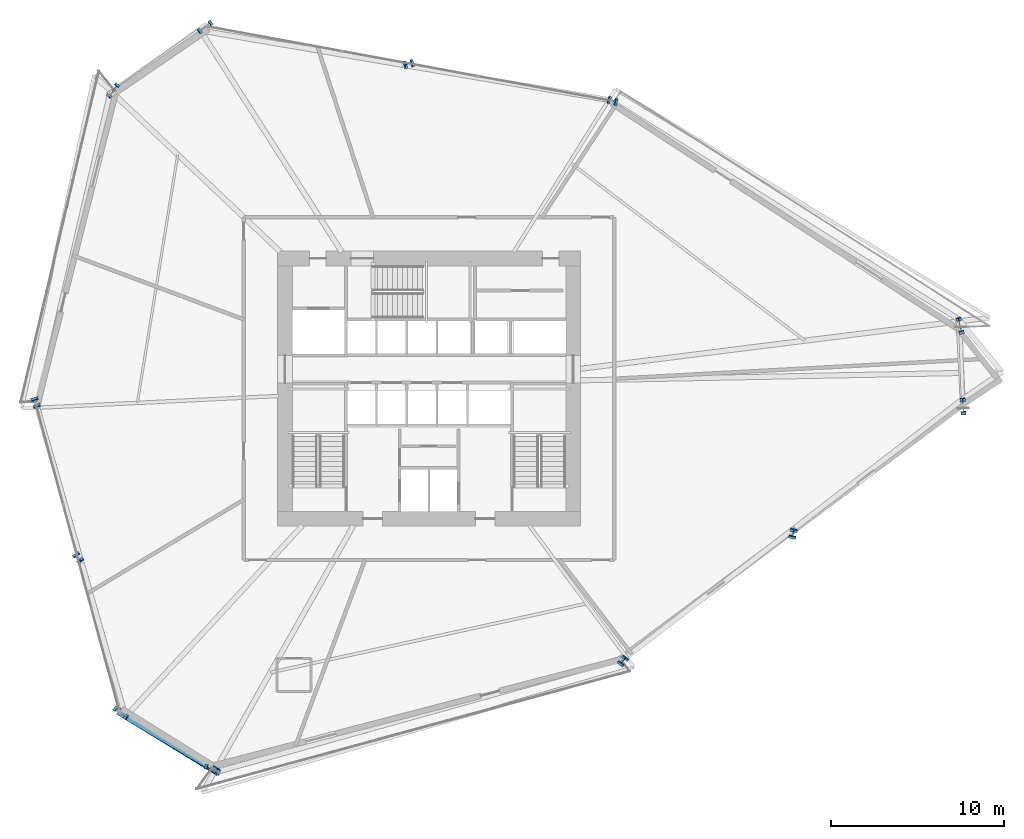
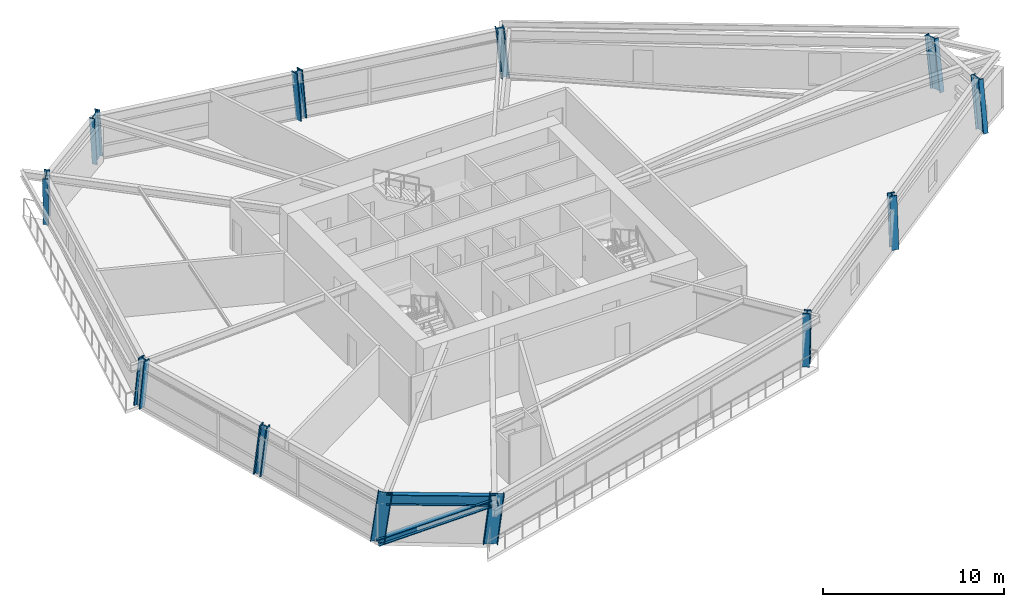
# One storey, part 1 of 20: 12 columns, 1 beam, 1 member.
"""IFC4 building model written with IfcOpenShell, lengths in metres."""

import ifcopenshell
import ifcopenshell.guid

model = None  # the IFC model being written
_history = None  # IfcOwnerHistory: only IFC2X3 demands one
_inside = {}  # id of a spatial element -> (the spatial element, [elements in it])
_under = {}  # id of a project, library or spatial element -> (it, [spatial elements below it])
_declared = {}  # id of a project -> (the project, [libraries it declares])
_typed = {}  # id of a type object -> (the type object, [elements of that type])
_made_of = {}  # id of a material, layer set ... -> (it, [elements and type objects made of it])


def new_model(schema):
    """Start an empty IFC model of exactly this schema.

    Asked for "IFC4X3", IfcOpenShell would pick the latest addendum, in which some entities
    have other attributes; the version numbers below select the first issue.
    IFC2X3 requires an IfcOwnerHistory on every rooted entity: one is made here for all.
    """
    global model, _history
    if schema == "IFC4X3":
        model = ifcopenshell.file(schema_version=(4, 3, 0, 0))
    else:
        model = ifcopenshell.file(schema=schema)
    _inside.clear()
    _under.clear()
    _declared.clear()
    _typed.clear()
    _made_of.clear()
    _history = None
    if model.schema == "IFC2X3":
        org = make("IfcOrganization", Name="unknown")
        user = make(
            "IfcPersonAndOrganization",
            ThePerson=make("IfcPerson", FamilyName="unknown"),
            TheOrganization=org,
        )
        app = make(
            "IfcApplication",
            ApplicationDeveloper=org,
            Version="unknown",
            ApplicationFullName="unknown",
            ApplicationIdentifier="unknown",
        )
        _history = make(
            "IfcOwnerHistory",
            OwningUser=user,
            OwningApplication=app,
            ChangeAction="ADDED",
            CreationDate=0,
        )
    return model


def make(cls, **values):
    """One entity of the class cls with the attributes given. An attribute that is None is left unset."""
    return model.create_entity(
        cls, **{name: value for name, value in values.items() if value is not None}
    )


def rooted(cls, **values):
    """An entity with a GlobalId (a new one), such as an element, a storey or a relation."""
    return make(cls, GlobalId=ifcopenshell.guid.new(), OwnerHistory=_history, **values)


def si_unit(unit_type, name, prefix=None):
    """IfcSIUnit, for example si_unit("LENGTHUNIT", "METRE", prefix="MILLI")."""
    return make("IfcSIUnit", UnitType=unit_type, Prefix=prefix, Name=name)


def assignment(units):
    """IfcUnitAssignment: the units of a project."""
    return None if units is None else make("IfcUnitAssignment", Units=units)


def point(xyz):
    """IfcCartesianPoint."""
    return None if xyz is None else make("IfcCartesianPoint", Coordinates=xyz)


def direction(xyz):
    """IfcDirection."""
    return None if xyz is None else make("IfcDirection", DirectionRatios=xyz)


def frame(location, z_axis=None, x_axis=None):
    """IfcAxis2Placement3D, a coordinate frame: its origin and axes. An axis left out is left unset."""
    return make(
        "IfcAxis2Placement3D",
        Location=point(location),
        Axis=direction(z_axis),
        RefDirection=direction(x_axis),
    )


def frame_2d(location, x_axis=None):
    """IfcAxis2Placement2D, a coordinate frame in the plane: its origin and x axis."""
    return make(
        "IfcAxis2Placement2D", Location=point(location), RefDirection=direction(x_axis)
    )


def origin():
    """The frame at (0, 0, 0) with its axes left unset."""
    return frame((0.0, 0.0, 0.0))


def origin_2d():
    """The frame at (0, 0) in the plane with its x axis left unset."""
    return frame_2d((0.0, 0.0))


def place(relative_to, where):
    """IfcLocalPlacement: puts the frame where relative to a parent placement (None: the world)."""
    return make(
        "IfcLocalPlacement", PlacementRelTo=relative_to, RelativePlacement=where
    )


def context(
    kind, dimensions, precision=None, world=None, true_north=None, identifier=None
):
    """IfcGeometricRepresentationContext, for example the 3D "Model" context."""
    return make(
        "IfcGeometricRepresentationContext",
        ContextIdentifier=identifier,
        ContextType=kind,
        CoordinateSpaceDimension=dimensions,
        Precision=precision,
        WorldCoordinateSystem=world,
        TrueNorth=true_north,
    )


def subcontext(parent, identifier, kind, view, scale=None):
    """IfcGeometricRepresentationSubContext, for example "Body" below "Model"."""
    return make(
        "IfcGeometricRepresentationSubContext",
        ContextIdentifier=identifier,
        ContextType=kind,
        ParentContext=parent,
        TargetScale=scale,
        TargetView=view,
    )


def project(units=None, contexts=None):
    """IfcProject with its units and contexts."""
    return rooted(
        "IfcProject",
        Name="project",
        RepresentationContexts=contexts,
        UnitsInContext=assignment(units),
    )


def spatial(cls, under=None, at=None, **own):
    """A site, building, storey or space (cls), placed at a placement, below another one or the project."""
    s = rooted(cls, ObjectPlacement=at, **own)
    if under is not None:
        _under.setdefault(under.id(), (under, []))[1].append(s)
    return s


def profile(cls, at=None, kind="AREA", **sizes):
    """A parametric profile (cls). Its sizes go by their IFC names, for example OverallWidth=200.0."""
    return make(cls, ProfileType=kind, Position=at, **sizes)


def i_section(**sizes):
    """IfcIShapeProfileDef."""
    return profile("IfcIShapeProfileDef", **sizes)


def extrude(swept, where, along, depth):
    """IfcExtrudedAreaSolid: the profile swept, set in the frame where, extruded along a direction by depth."""
    return make(
        "IfcExtrudedAreaSolid",
        SweptArea=swept,
        Position=where,
        ExtrudedDirection=direction(along),
        Depth=depth,
    )


def shape(context_of_items, identifier, shape_type, items):
    """IfcShapeRepresentation: the items that make up one representation, for example the "Body"."""
    return make(
        "IfcShapeRepresentation",
        ContextOfItems=context_of_items,
        RepresentationIdentifier=identifier,
        RepresentationType=shape_type,
        Items=items,
    )


def source(mapping_origin, context_of_items, identifier, shape_type, items):
    """IfcRepresentationMap: a shape defined once, which mapped items show again and again."""
    return make(
        "IfcRepresentationMap",
        MappingOrigin=mapping_origin,
        MappedRepresentation=shape(context_of_items, identifier, shape_type, items),
    )


def transform(
    local_origin,
    x_axis=None,
    y_axis=None,
    z_axis=None,
    scale=None,
    scale2=None,
    scale3=None,
    uniform=True,
):
    """IfcCartesianTransformationOperator3D, or its non-uniform kind. x_axis, y_axis, z_axis: its Axis1, 2, 3."""
    if uniform:
        return make(
            "IfcCartesianTransformationOperator3D",
            Axis1=direction(x_axis),
            Axis2=direction(y_axis),
            LocalOrigin=point(local_origin),
            Scale=scale,
            Axis3=direction(z_axis),
        )
    return make(
        "IfcCartesianTransformationOperator3DnonUniform",
        Axis1=direction(x_axis),
        Axis2=direction(y_axis),
        LocalOrigin=point(local_origin),
        Scale=scale,
        Axis3=direction(z_axis),
        Scale2=scale2,
        Scale3=scale3,
    )


def mapped(mapping_source, mapping_target):
    """IfcMappedItem: shows the shape of a source again, moved by a transform."""
    return make(
        "IfcMappedItem", MappingSource=mapping_source, MappingTarget=mapping_target
    )


def material(Name=None, Category=None):
    """IfcMaterial."""
    return make("IfcMaterial", Name=Name, Category=Category)


def material_profile(
    of_material, cross_section, Name=None, Category=None, Priority=None
):
    """IfcMaterialProfile: a cross section and its material."""
    return make(
        "IfcMaterialProfile",
        Name=Name,
        Material=of_material,
        Profile=cross_section,
        Priority=Priority,
        Category=Category,
    )


def profile_set(profiles, Name=None, composite=None):
    """IfcMaterialProfileSet."""
    return make(
        "IfcMaterialProfileSet",
        Name=Name,
        MaterialProfiles=profiles,
        CompositeProfile=composite,
    )


def made_of(thing, what):
    """Note that an element or type object is made of a material, layer set ...; save() writes the relation."""
    if what is not None:
        _made_of.setdefault(what.id(), (what, []))[1].append(thing)
    return thing


def type_object(cls, material=None, **own):
    """A type object (cls), such as IfcWallType, which elements share."""
    return made_of(rooted(cls, **own), material)


def element(
    cls,
    number,
    at=None,
    inside=None,
    cuts=None,
    type_object=None,
    material=None,
    context=None,
    identifier="Body",
    shape_type=None,
    held_by="IfcProductDefinitionShape",
    body=None,
    shapes=None,
    **own,
):
    """One element of the class cls, such as IfcWall. Its Tag is "e" and its number.

    at: its placement. inside: the storey or other place that contains it. cuts: it is an
    opening in that element (IfcRelVoidsElement). A single representation is given by context,
    identifier, shape_type and body (its items); several are given by shapes. held_by: the class
    of the entity that holds the representations. save() writes the other relations.
    """
    e = rooted(cls, Tag="e%d" % number, ObjectPlacement=at, **own)
    if body is not None:
        shapes = [shape(context, identifier, shape_type, body)]
    if shapes is not None:
        e.Representation = make(held_by, Representations=shapes)
    if inside is not None:
        _inside.setdefault(inside.id(), (inside, []))[1].append(e)
    if cuts is not None:
        rooted(
            "IfcRelVoidsElement", RelatingBuildingElement=cuts, RelatedOpeningElement=e
        )
    if type_object is not None:
        _typed.setdefault(type_object.id(), (type_object, []))[1].append(e)
    return made_of(e, material)


def aggregate(whole, parts):
    """IfcRelAggregates: a whole, such as a stair, and the parts it consists of."""
    return rooted("IfcRelAggregates", RelatingObject=whole, RelatedObjects=parts)


def save(model, path):
    """Write the relations noted so far, then the file.

    IfcRelAggregates (storeys below a building ...), IfcRelContainedInSpatialStructure (elements
    in a storey), IfcRelDefinesByType, IfcRelAssociatesMaterial and IfcRelDeclares: one each for
    every whole, place, type object, material and project.
    """
    for whole, parts in _under.values():
        aggregate(whole, parts)
    for where, things in _inside.values():
        rooted(
            "IfcRelContainedInSpatialStructure",
            RelatedElements=things,
            RelatingStructure=where,
        )
    for kind, things in _typed.values():
        rooted("IfcRelDefinesByType", RelatedObjects=things, RelatingType=kind)
    for what, things in _made_of.values():
        rooted("IfcRelAssociatesMaterial", RelatedObjects=things, RelatingMaterial=what)
    for by, libraries in _declared.values():
        rooted("IfcRelDeclares", RelatingContext=by, RelatedDefinitions=libraries)
    model.write(path)


model = new_model("IFC4")

# Units and contexts
model_context = context("Model", 3, precision=1e-05, world=origin(), true_north=direction((0.0, 1.0)))
body_context = subcontext(model_context, "Body", "Model", "MODEL_VIEW")
ifc_project = project(units=[si_unit("LENGTHUNIT", "METRE"), si_unit("AREAUNIT", "SQUARE_METRE"), si_unit("VOLUMEUNIT", "CUBIC_METRE"), si_unit("PLANEANGLEUNIT", "RADIAN"), si_unit("MASSUNIT", "GRAM", prefix="KILO")], contexts=[model_context])

# Site, building, storey
site_placement = place(None, origin())
site = spatial("IfcSite", under=ifc_project, at=site_placement, CompositionType="ELEMENT")
building_placement = place(site_placement, origin())
building = spatial("IfcBuilding", under=site, at=building_placement, Name="Olszyna Solenne Hotel", CompositionType="ELEMENT")
storey_placement = place(building_placement, frame((0.0, 0.0, 43.5)))
storey = spatial("IfcBuildingStorey", under=building, at=storey_placement, Name="L10", CompositionType="ELEMENT", Elevation=43.5)

# Columns
ifc_material_1 = material(Name="Steel S460M", Category="steel")
ifc_material_profile_1 = material_profile(ifc_material_1, i_section(OverallWidth=0.424072265625, OverallDepth=0.47412109375, WebThickness=0.04296875, FlangeThickness=0.068115234375, at=origin_2d()), Name="HD 400x634", Category="load-bearing")
ifc_profile_set_1 = profile_set([ifc_material_profile_1], Name="Steel S460M")
column_type_1 = type_object("IfcColumnType", Name="COL-T1", PredefinedType="COLUMN", material=ifc_profile_set_1)
shared_shape_1 = source(origin(), body_context, "Body", "SweptSolid", [
    extrude(i_section(OverallWidth=0.424072265625, OverallDepth=0.47412109375, WebThickness=0.04296875, FlangeThickness=0.068115234375, at=origin_2d()), origin(), (0.0, 0.0, 1.0), 3.406982421875),
])
column_1_placement = place(storey_placement, frame((59.02099609375, 18.151611328125, 0.0), z_axis=(0.024938008928, 0.1103578556, 0.993579005121), x_axis=(-0.975405871546, 0.220416391752, 0.0)))
element("IfcColumn", 1, at=column_1_placement, inside=storey, type_object=column_type_1, Name="Perimeter framed-tube column COL-T1 C-L10-12", PredefinedType="COLUMN", context=body_context, shape_type="MappedRepresentation", body=[
    mapped(shared_shape_1, transform((0.0, 0.0, 0.0), x_axis=(1.0, 0.0, 0.0), y_axis=(0.0, 1.0, 0.0), z_axis=(0.0, 0.0, 1.0), scale=1.0)),
])
ifc_material_profile_2 = material_profile(ifc_material_1, i_section(OverallWidth=0.30810546875, OverallDepth=0.81396484375, WebThickness=0.02099609375, FlangeThickness=0.0400390625, at=origin_2d()), Name="HEM 800", Category="load-bearing")
ifc_profile_set_2 = profile_set([ifc_material_profile_2], Name="Steel S460M")
column_type_2 = type_object("IfcColumnType", Name="COL-K1", PredefinedType="COLUMN", material=ifc_profile_set_2)
shared_shape_2 = source(origin(), body_context, "Body", "SweptSolid", [
    extrude(i_section(OverallWidth=0.30810546875, OverallDepth=0.81396484375, WebThickness=0.02099609375, FlangeThickness=0.0400390625, at=origin_2d()), origin(), (0.0, 0.0, 1.0), 3.422119140625),
])
column_2_placement = place(storey_placement, frame((68.867431640625, 25.48583984375, 0.0), z_axis=(-0.009203169224, 0.146537283616, 0.989162335609), x_axis=(-0.998033626119, -0.062680787619, 0.0)))
element("IfcColumn", 2, at=column_2_placement, inside=storey, type_object=column_type_2, Name="Perimeter framed-tube column COL-K1 C-L10-01", PredefinedType="COLUMN", context=body_context, shape_type="MappedRepresentation", body=[
    mapped(shared_shape_2, transform((0.0, 0.0, 0.0), x_axis=(1.0, 0.0, 0.0), y_axis=(0.0, 1.0, 0.0), z_axis=(0.0, 0.0, 1.0), scale=1.0)),
])
shared_shape_3 = source(origin(), body_context, "Body", "SweptSolid", [
    extrude(i_section(OverallWidth=0.30810546875, OverallDepth=0.81396484375, WebThickness=0.02099609375, FlangeThickness=0.0400390625, at=origin_2d()), origin(), (0.0, 0.0, 1.0), 3.417724609375),
])
column_3_placement = place(storey_placement, frame((68.70849609375, 30.15283203125, 0.0), z_axis=(-0.030073830661, 0.134653612343, 0.990436252059), x_axis=(-0.975955040673, -0.217971921551, 0.0)))
element("IfcColumn", 3, at=column_3_placement, inside=storey, type_object=column_type_2, Name="Perimeter framed-tube column COL-K1 C-L10-02", PredefinedType="COLUMN", context=body_context, shape_type="MappedRepresentation", body=[
    mapped(shared_shape_3, transform((0.0, 0.0, 0.0), x_axis=(1.0, 0.0, 0.0), y_axis=(0.0, 1.0, 0.0), z_axis=(0.0, 0.0, 1.0), scale=1.0)),
])
shared_shape_4 = source(origin(), body_context, "Body", "SweptSolid", [
    extrude(i_section(OverallWidth=0.424072265625, OverallDepth=0.47412109375, WebThickness=0.04296875, FlangeThickness=0.068115234375, at=origin_2d()), origin(), (0.0, 0.0, 1.0), 3.3994140625),
])
column_4_placement = place(storey_placement, frame((48.65234375, 43.211181640625, 0.0), z_axis=(-0.088620867342, 0.025925553574, 0.995727978689), x_axis=(-0.280776438027, -0.95977319813, 0.0)))
element("IfcColumn", 4, at=column_4_placement, inside=storey, type_object=column_type_1, Name="Perimeter framed-tube column COL-T1 C-L10-03", PredefinedType="COLUMN", context=body_context, shape_type="MappedRepresentation", body=[
    mapped(shared_shape_4, transform((0.0, 0.0, 0.0), x_axis=(1.0, 0.0, 0.0), y_axis=(0.0, 1.0, 0.0), z_axis=(0.0, 0.0, 1.0), scale=1.0)),
])
shared_shape_5 = source(origin(), body_context, "Body", "SweptSolid", [
    extrude(i_section(OverallWidth=0.424072265625, OverallDepth=0.47412109375, WebThickness=0.04296875, FlangeThickness=0.068115234375, at=origin_2d()), origin(), (0.0, 0.0, 1.0), 3.400390625),
])
column_5_placement = place(storey_placement, frame((36.883544921875, 45.376708984375, 0.0), z_axis=(-0.092330898884, -0.022903232305, 0.995464940147), x_axis=(0.24075937965, -0.970584834577, 0.0)))
element("IfcColumn", 5, at=column_5_placement, inside=storey, type_object=column_type_1, Name="Perimeter framed-tube column COL-T1 C-L10-04", PredefinedType="COLUMN", context=body_context, shape_type="MappedRepresentation", body=[
    mapped(shared_shape_5, transform((0.0, 0.0, 0.0), x_axis=(1.0, 0.0, 0.0), y_axis=(0.0, 1.0, 0.0), z_axis=(0.0, 0.0, 1.0), scale=1.0)),
])
shared_shape_6 = source(origin(), body_context, "Body", "SweptSolid", [
    extrude(i_section(OverallWidth=0.30810546875, OverallDepth=0.81396484375, WebThickness=0.02099609375, FlangeThickness=0.0400390625, at=origin_2d()), origin(), (0.0, 0.0, 1.0), 3.409423828125),
])
column_6_placement = place(storey_placement, frame((25.11474609375, 47.541748046875, 0.0), z_axis=(-0.095810648173, -0.071392538287, 0.992836051508), x_axis=(0.597503990576, -0.801865937202, 0.0)))
element("IfcColumn", 6, at=column_6_placement, inside=storey, type_object=column_type_2, Name="Perimeter framed-tube column COL-K1 C-L10-05", PredefinedType="COLUMN", context=body_context, shape_type="MappedRepresentation", body=[
    mapped(shared_shape_6, transform((0.0, 0.0, 0.0), x_axis=(1.0, 0.0, 0.0), y_axis=(0.0, 1.0, 0.0), z_axis=(0.0, 0.0, 1.0), scale=1.0)),
])
shared_shape_7 = source(origin(), body_context, "Body", "SweptSolid", [
    extrude(i_section(OverallWidth=0.30810546875, OverallDepth=0.81396484375, WebThickness=0.02099609375, FlangeThickness=0.0400390625, at=origin_2d()), origin(), (0.0, 0.0, 1.0), 3.4052734375),
])
column_7_placement = place(storey_placement, frame((19.774658203125, 43.885009765625, 0.0), z_axis=(-0.06610046302, -0.086962973583, 0.994016181968), x_axis=(0.796124250752, -0.605133189772, 0.0)))
element("IfcColumn", 7, at=column_7_placement, inside=storey, type_object=column_type_2, Name="Perimeter framed-tube column COL-K1 C-L10-06", PredefinedType="COLUMN", context=body_context, shape_type="MappedRepresentation", body=[
    mapped(shared_shape_7, transform((0.0, 0.0, 0.0), x_axis=(1.0, 0.0, 0.0), y_axis=(0.0, 1.0, 0.0), z_axis=(0.0, 0.0, 1.0), scale=1.0)),
])
shared_shape_8 = source(origin(), body_context, "Body", "SweptSolid", [
    extrude(i_section(OverallWidth=0.424072265625, OverallDepth=0.47412109375, WebThickness=0.04296875, FlangeThickness=0.068115234375, at=origin_2d()), origin(), (0.0, 0.0, 1.0), 3.4052734375),
])
column_8_placement = place(storey_placement, frame((15.249755859375, 25.8544921875, 0.0), z_axis=(0.031905343167, -0.103817835743, 0.9940844562), x_axis=(0.955878866241, 0.293761115661, 0.0)))
element("IfcColumn", 8, at=column_8_placement, inside=storey, type_object=column_type_1, Name="Perimeter framed-tube column COL-T1 C-L10-07", PredefinedType="COLUMN", context=body_context, shape_type="MappedRepresentation", body=[
    mapped(shared_shape_8, transform((0.0, 0.0, 0.0), x_axis=(1.0, 0.0, 0.0), y_axis=(0.0, 1.0, 0.0), z_axis=(0.0, 0.0, 1.0), scale=1.0)),
])
shared_shape_9 = source(origin(), body_context, "Body", "SweptSolid", [
    extrude(i_section(OverallWidth=0.424072265625, OverallDepth=0.47412109375, WebThickness=0.04296875, FlangeThickness=0.068115234375, at=origin_2d()), origin(), (0.0, 0.0, 1.0), 3.406494140625),
])
column_9_placement = place(storey_placement, frame((17.685302734375, 16.884521484375, 0.0), z_axis=(0.065720082307, -0.090947420336, 0.993684777742), x_axis=(0.810527620102, 0.585700415787, 0.0)))
element("IfcColumn", 9, at=column_9_placement, inside=storey, type_object=column_type_1, Name="Perimeter framed-tube column COL-T1 C-L10-08", PredefinedType="COLUMN", context=body_context, shape_type="MappedRepresentation", body=[
    mapped(shared_shape_9, transform((0.0, 0.0, 0.0), x_axis=(1.0, 0.0, 0.0), y_axis=(0.0, 1.0, 0.0), z_axis=(0.0, 0.0, 1.0), scale=1.0)),
])
shared_shape_10 = source(origin(), body_context, "Body", "SweptSolid", [
    extrude(i_section(OverallWidth=0.30810546875, OverallDepth=0.81396484375, WebThickness=0.02099609375, FlangeThickness=0.0400390625, at=origin_2d()), origin(), (0.0, 0.0, 1.0), 3.412353515625),
])
column_10_placement = place(storey_placement, frame((20.120849609375, 7.91455078125, 0.0), z_axis=(0.099448612352, -0.077984883067, 0.99198202177), x_axis=(0.617071206002, 0.786907317746, 0.0)))
element("IfcColumn", 10, at=column_10_placement, inside=storey, type_object=column_type_2, Name="Perimeter framed-tube column COL-K1 C-L10-09", PredefinedType="COLUMN", context=body_context, shape_type="MappedRepresentation", body=[
    mapped(shared_shape_10, transform((0.0, 0.0, 0.0), x_axis=(1.0, 0.0, 0.0), y_axis=(0.0, 1.0, 0.0), z_axis=(0.0, 0.0, 1.0), scale=1.0)),
])
shared_shape_11 = source(origin(), body_context, "Body", "SweptSolid", [
    extrude(i_section(OverallWidth=0.30810546875, OverallDepth=0.81396484375, WebThickness=0.02099609375, FlangeThickness=0.0400390625, at=origin_2d()), origin(), (0.0, 0.0, 1.0), 3.40625),
])
column_11_placement = place(storey_placement, frame((25.413818359375, 4.6201171875, 0.0), z_axis=(0.101705377608, -0.045799673215, 0.993759732581), x_axis=(0.410605127545, 0.911813264454, 0.0)))
element("IfcColumn", 11, at=column_11_placement, inside=storey, type_object=column_type_2, Name="Perimeter framed-tube column COL-K1 C-L10-10", PredefinedType="COLUMN", context=body_context, shape_type="MappedRepresentation", body=[
    mapped(shared_shape_11, transform((0.0, 0.0, 0.0), x_axis=(1.0, 0.0, 0.0), y_axis=(0.0, 1.0, 0.0), z_axis=(0.0, 0.0, 1.0), scale=1.0)),
])
shared_shape_12 = source(origin(), body_context, "Body", "SweptSolid", [
    extrude(i_section(OverallWidth=0.424072265625, OverallDepth=0.47412109375, WebThickness=0.04296875, FlangeThickness=0.068115234375, at=origin_2d()), origin(), (0.0, 0.0, 1.0), 3.400146484375),
])
column_12_placement = place(storey_placement, frame((49.17431640625, 10.8173828125, 0.0), z_axis=(0.059235895366, 0.07366791351, 0.995522047581), x_axis=(-0.779310211571, 0.626638328018, 0.0)))
element("IfcColumn", 12, at=column_12_placement, inside=storey, type_object=column_type_1, Name="Perimeter framed-tube column COL-T1 C-L10-11", PredefinedType="COLUMN", context=body_context, shape_type="MappedRepresentation", body=[
    mapped(shared_shape_12, transform((0.0, 0.0, 0.0), x_axis=(1.0, 0.0, 0.0), y_axis=(0.0, 1.0, 0.0), z_axis=(0.0, 0.0, 1.0), scale=1.0)),
])

# Beam
ifc_material_2 = material(Name="Steel S355J2", Category="steel")
ifc_material_profile_3 = material_profile(ifc_material_2, i_section(OverallWidth=0.300048828125, OverallDepth=0.699951171875, WebThickness=0.01708984375, FlangeThickness=0.031982421875, at=origin_2d()), Name="HEB 700", Category="load-bearing")
ifc_profile_set_3 = profile_set([ifc_material_profile_3], Name="Steel S355J2")
beam_type = type_object("IfcBeamType", Name="BM-S1", PredefinedType="BEAM", material=ifc_profile_set_3)
shared_shape_13 = source(origin(), body_context, "Body", "SweptSolid", [
    extrude(i_section(OverallWidth=0.300048828125, OverallDepth=0.699951171875, WebThickness=0.01708984375, FlangeThickness=0.031982421875, at=origin_2d()), origin(), (0.0, 0.0, 1.0), 6.063232421875),
])
beam_placement = place(storey_placement, frame((20.51171875, 7.61767578125, 2.949951171875), z_axis=(0.857169449077, -0.515034499396, 0.0), x_axis=(0.515034499396, 0.857169449077, 0.0)))
element("IfcBeam", 13, at=beam_placement, inside=storey, type_object=beam_type, Name="Perimeter spandrel beam BM-S1 B-L10-0326", PredefinedType="BEAM", context=body_context, shape_type="MappedRepresentation", body=[
    mapped(shared_shape_13, transform((0.0, 0.0, 0.0), x_axis=(1.0, 0.0, 0.0), y_axis=(0.0, 1.0, 0.0), z_axis=(0.0, 0.0, 1.0), scale=1.0)),
])

# Member
ifc_material_profile_4 = material_profile(ifc_material_1, i_section(OverallWidth=0.412109375, OverallDepth=0.43505859375, WebThickness=0.031494140625, FlangeThickness=0.050048828125, at=origin_2d()), Name="HD 400x463", Category="load-bearing")
ifc_profile_set_4 = profile_set([ifc_material_profile_4], Name="Steel S460M")
member_type = type_object("IfcMemberType", Name="BR-T1", PredefinedType="BRACE", material=ifc_profile_set_4)
shared_shape_14 = source(origin(), body_context, "Body", "SweptSolid", [
    extrude(i_section(OverallWidth=0.412109375, OverallDepth=0.43505859375, WebThickness=0.031494140625, FlangeThickness=0.050048828125, at=origin_2d()), origin(), (0.0, 0.0, 1.0), 7.221435546875),
])
member_placement = place(storey_placement, frame((20.120849609375, 7.91455078125, 0.010009765625), z_axis=(0.780937059559, -0.477812176403, 0.402284517585), x_axis=(0.521905520599, 0.853003298685, 0.0)))
element("IfcMember", 14, at=member_placement, inside=storey, type_object=member_type, Name="Perimeter braced-tube diagonal BR-T1 BR-L10-3", PredefinedType="BRACE", context=body_context, shape_type="MappedRepresentation", body=[
    mapped(shared_shape_14, transform((0.0, 0.0, 0.0), x_axis=(1.0, 0.0, 0.0), y_axis=(0.0, 1.0, 0.0), z_axis=(0.0, 0.0, 1.0), scale=1.0)),
])

save(model, "model.ifc")
